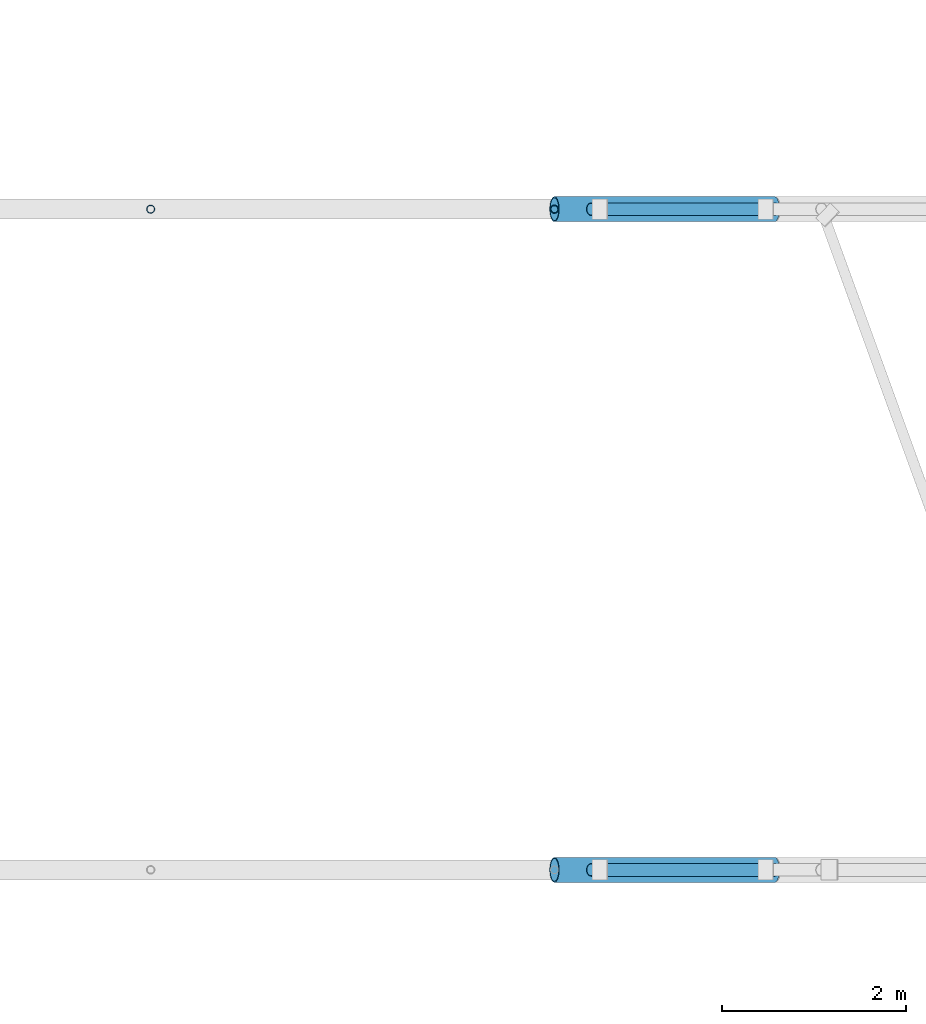
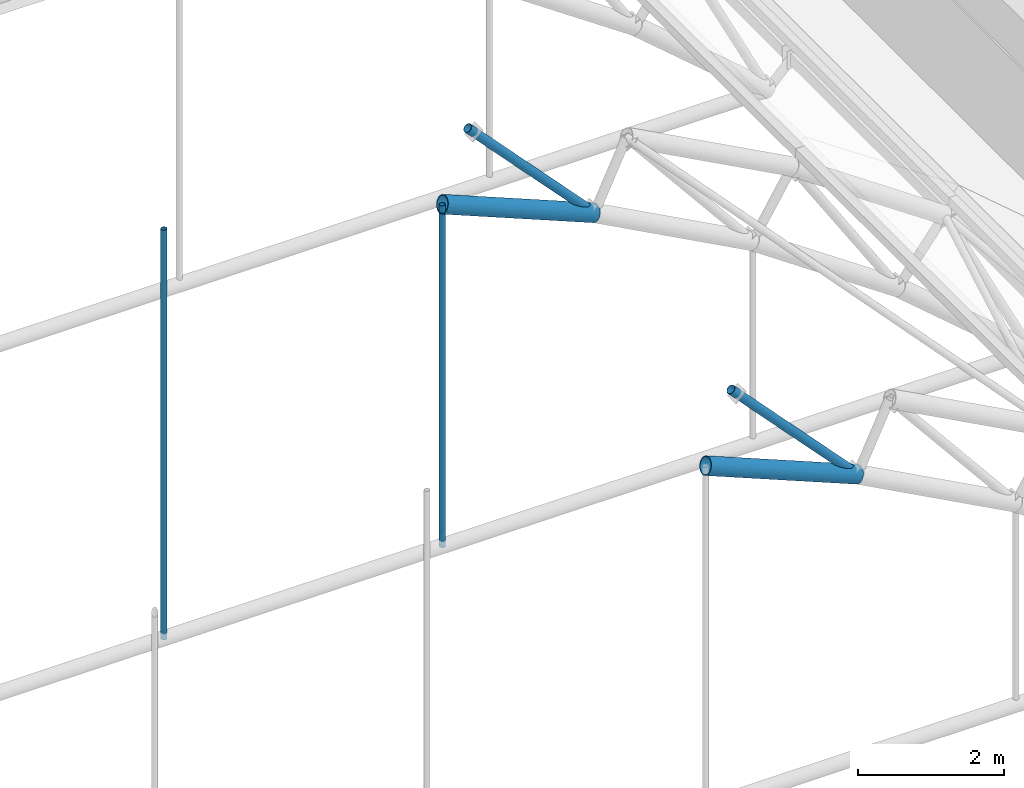
# One storey, part 15 of 101: 6 members.
"""IFC4 building model written with IfcOpenShell, lengths in metres."""

from ifc_helpers import new_model, si_unit, direction, frame, origin, origin_2d, place, context, subcontext, project, spatial, hollow_circle, extrude, material, material_profile, profile_set, type_object, element, save


model = new_model("IFC4")

# Units and contexts
model_context = context("Model", 3, precision=1e-05, world=origin(), true_north=direction((0.0, 1.0)))
body_context = subcontext(model_context, "Body", "Model", "MODEL_VIEW")
ifc_project = project(units=[si_unit("LENGTHUNIT", "METRE"), si_unit("AREAUNIT", "SQUARE_METRE"), si_unit("VOLUMEUNIT", "CUBIC_METRE"), si_unit("PLANEANGLEUNIT", "RADIAN"), si_unit("MASSUNIT", "GRAM", prefix="KILO")], contexts=[model_context])

# Site, building, storey
site_placement = place(None, origin())
site = spatial("IfcSite", under=ifc_project, at=site_placement, CompositionType="ELEMENT")
building_placement = place(site_placement, origin())
building = spatial("IfcBuilding", under=site, at=building_placement, Name="Laocheng Heights Fire and Rescue Headquarters", CompositionType="ELEMENT")
storey_placement = place(building_placement, frame((0.0, 0.0, 8.39990234375)))
storey = spatial("IfcBuildingStorey", under=building, at=storey_placement, Name="L02", CompositionType="ELEMENT", Elevation=8.39990234375)

# Members
ifc_material_1 = material(Name="Steel Q355B", Category="steel")
ifc_material_profile_1 = material_profile(ifc_material_1, hollow_circle(Radius=0.136474609375, WallThickness=0.011962890625, at=origin_2d()), Name="CHS 273x12")
ifc_profile_set_1 = profile_set([ifc_material_profile_1], Name="Steel Q355B")
member_type_1 = type_object("IfcMemberType", Name="BAY ROOF CHORD CHS 273x12", PredefinedType="CHORD", material=ifc_profile_set_1)
for number, where, z_axis, x_axis, name in (
    (1, (44.699951171875, 0.0, 5.70703125), (0.925143196913, 0.0, -0.379618315161), (0.0, 1.0, 0.0), "Truss TR1 lower chord 13"),
    (2, (44.699951171875, 7.199951171875, 5.70703125), (0.925143196913, 0.0, -0.379618315161), (0.0, 1.0, 0.0), "Truss TR2 lower chord 13"),
):
    element("IfcMember", number, at=place(storey_placement, frame(where, z_axis=z_axis, x_axis=x_axis)), inside=storey, type_object=member_type_1, Name=name, PredefinedType="CHORD", context=body_context, shape_type="SweptSolid", body=[
        extrude(hollow_circle(Radius=0.136474609375, WallThickness=0.011962890625, at=origin_2d()), origin(), (0.0, 0.0, 1.0), 2.59423828125),
    ])
ifc_material_2 = material(Name="Steel Q355B", Category="steel")
ifc_material_profile_2 = material_profile(ifc_material_2, hollow_circle(Radius=0.06982421875, WallThickness=0.006103515625, at=origin_2d()), Name="CHS 139.7x6")
ifc_profile_set_2 = profile_set([ifc_material_profile_2], Name="Steel Q355B")
member_type_2 = type_object("IfcMemberType", Name="BAY ROOF DIAG CHS 139.7x6", PredefinedType="BRACE", material=ifc_profile_set_2)
for number, where, z_axis, x_axis, name in (
    (3, (47.10009765625, 0.0, 4.72216796875), (-0.686744141794, 0.0, 0.72689922528), (0.0, -1.0, 0.0), "Truss diagonal TR1-13"),
    (4, (47.10009765625, 7.199951171875, 4.72216796875), (-0.686744141794, 0.0, 0.72689922528), (0.0, -1.0, 0.0), "Truss diagonal TR2-13"),
):
    element("IfcMember", number, at=place(storey_placement, frame(where, z_axis=z_axis, x_axis=x_axis)), inside=storey, type_object=member_type_2, Name=name, PredefinedType="BRACE", context=body_context, shape_type="SweptSolid", body=[
        extrude(hollow_circle(Radius=0.06982421875, WallThickness=0.006103515625, at=origin_2d()), origin(), (0.0, 0.0, 1.0), 2.912353515625),
    ])
ifc_material_3 = material(Name="Steel Q355B", Category="steel")
ifc_material_profile_3 = material_profile(ifc_material_3, hollow_circle(Radius=0.04443359375, WallThickness=0.0048828125, at=origin_2d()), Name="CHS 88.9x5")
ifc_profile_set_3 = profile_set([ifc_material_profile_3], Name="Steel Q355B")
member_type_3 = type_object("IfcMemberType", Name="BAY ROOF HANGER CHS 88.9x5", PredefinedType="POST", material=ifc_profile_set_3)
member_1_placement = place(storey_placement, frame((40.300048828125, 7.199951171875, 0.0), z_axis=(0.0, 0.0, 1.0), x_axis=(1.0, 0.0, 0.0)))
element("IfcMember", 5, at=member_1_placement, inside=storey, type_object=member_type_3, Name="Truss TR2 hanger 10", PredefinedType="POST", context=body_context, shape_type="SweptSolid", body=[
    extrude(hollow_circle(Radius=0.04443359375, WallThickness=0.0048828125, at=origin_2d()), origin(), (0.0, 0.0, 1.0), 6.843017578125),
])
member_2_placement = place(storey_placement, frame((44.699951171875, 7.199951171875, 0.0), z_axis=(0.0, 0.0, 1.0), x_axis=(1.0, 0.0, 0.0)))
element("IfcMember", 6, at=member_2_placement, inside=storey, type_object=member_type_3, Name="Truss TR2 hanger 12", PredefinedType="POST", context=body_context, shape_type="SweptSolid", body=[
    extrude(hollow_circle(Radius=0.04443359375, WallThickness=0.0048828125, at=origin_2d()), origin(), (0.0, 0.0, 1.0), 5.70703125),
])

save(model, "model.ifc")
